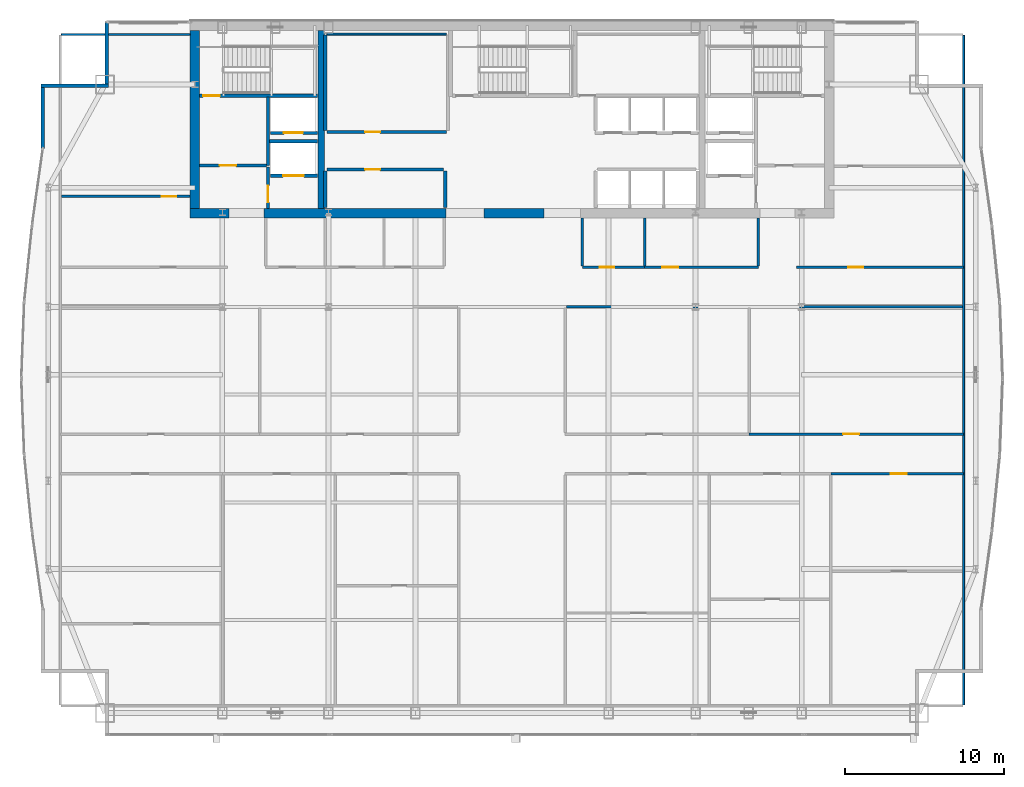
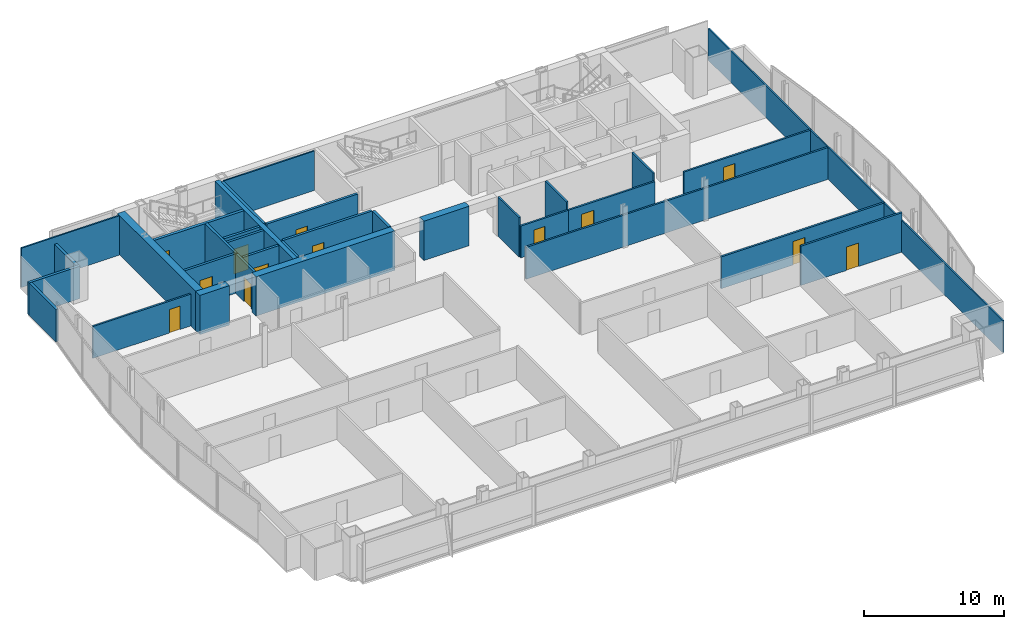
# One storey, part 28 of 32: 33 walls, 13 doors, 13 openings.
"""IFC4 building model written with IfcOpenShell, lengths in metres."""

from ifc_helpers import new_model, si_unit, direction, frame, frame_2d, origin, place, context, subcontext, project, spatial, rectangle, extrude, material, layer, layer_set, type_object, element, fill, save


model = new_model("IFC4")

# Units and contexts
model_context = context("Model", 3, precision=1e-05, world=origin(), true_north=direction((0.0, 1.0)))
body_context = subcontext(model_context, "Body", "Model", "MODEL_VIEW")
ifc_project = project(units=[si_unit("LENGTHUNIT", "METRE"), si_unit("AREAUNIT", "SQUARE_METRE"), si_unit("VOLUMEUNIT", "CUBIC_METRE"), si_unit("PLANEANGLEUNIT", "RADIAN"), si_unit("MASSUNIT", "GRAM", prefix="KILO")], contexts=[model_context])

# Site, building, storey
site_placement = place(None, origin())
site = spatial("IfcSite", under=ifc_project, at=site_placement, CompositionType="ELEMENT")
building_placement = place(site_placement, origin())
building = spatial("IfcBuilding", under=site, at=building_placement, Name="Khoronbel Lancet Exchange", CompositionType="ELEMENT")
storey_placement = place(building_placement, frame((0.0, 0.0, 228.199951171875)))
storey = spatial("IfcBuildingStorey", under=building, at=storey_placement, Name="L58", CompositionType="ELEMENT", Elevation=228.199951171875)

# Walls
ifc_material_1 = material(Name="Concrete C60/75", Category="concrete")
ifc_layer_1 = layer(ifc_material_1, 0.60009765625, Name="Concrete C60/75")
ifc_layer_set_1 = layer_set([ifc_layer_1], Name="Concrete C60/75")
wall_type_1 = type_object("IfcWallType", Name="WL-CW3", PredefinedType="SHEAR", material=ifc_layer_set_1)
wall_1_placement = place(storey_placement, frame((16.5, 41.89990234375, 0.0), z_axis=(0.0, 0.0, 1.0), x_axis=(0.0, 1.0, 0.0)))
element("IfcWall", 1, at=wall_1_placement, inside=storey, type_object=wall_type_1, Name="Level L58 rear core west shear wall", PredefinedType="SHEAR", context=body_context, shape_type="SweptSolid", body=[
    extrude(rectangle(XDim=11.2001953125, YDim=0.60009765625, at=frame_2d((5.60009765625, 0.0))), origin(), (0.0, 0.0, 1.0), 3.43994140625),
])
wall_2_placement = place(storey_placement, frame((18.64990234375, 41.60009765625, 0.0), z_axis=(0.0, 0.0, 1.0), x_axis=(-1.0, 0.0, 0.0)))
element("IfcWall", 2, at=wall_2_placement, inside=storey, type_object=wall_type_1, Name="Level L58 rear core south shear wall pier P1", PredefinedType="SHEAR", context=body_context, shape_type="SweptSolid", body=[
    extrude(rectangle(XDim=2.449951171875, YDim=0.60009765625, at=frame_2d((1.22509765625, 0.0))), origin(), (0.0, 0.0, 1.0), 3.43994140625),
])
wall_3_placement = place(storey_placement, frame((32.300048828125, 41.60009765625, 0.0), z_axis=(0.0, 0.0, 1.0), x_axis=(-1.0, 0.0, 0.0)))
element("IfcWall", 3, at=wall_3_placement, inside=storey, type_object=wall_type_1, Name="Level L58 rear core south shear wall pier P2", PredefinedType="SHEAR", context=body_context, shape_type="SweptSolid", body=[
    extrude(rectangle(XDim=11.449951171875, YDim=0.60009765625, at=frame_2d((5.72509765625, 0.0))), origin(), (0.0, 0.0, 1.0), 3.43994140625),
])
wall_4_placement = place(storey_placement, frame((38.449951171875, 41.60009765625, 0.0), z_axis=(0.0, 0.0, 1.0), x_axis=(-1.0, 0.0, 0.0)))
element("IfcWall", 4, at=wall_4_placement, inside=storey, type_object=wall_type_1, Name="Level L58 rear core south shear wall pier P3", PredefinedType="SHEAR", context=body_context, shape_type="SweptSolid", body=[
    extrude(rectangle(XDim=3.75, YDim=0.60009765625, at=frame_2d((1.875, 0.0))), origin(), (0.0, 0.0, 1.0), 3.43994140625),
])
ifc_material_2 = material(Name="Precast concrete C40/50", Category="concrete")
ifc_layer_2 = layer(ifc_material_2, 0.25, Name="Precast concrete C40/50")
ifc_layer_set_2 = layer_set([ifc_layer_2], Name="Precast concrete C40/50")
wall_type_2 = type_object("IfcWallType", Name="WL-EXT250", PredefinedType="SOLIDWALL", material=ifc_layer_set_2)
wall_5_placement = place(storey_placement, frame((6.93994140625, 45.673583984375, 0.0), z_axis=(0.0, 0.0, 1.0), x_axis=(0.0, 1.0, 0.0)))
element("IfcWall", 5, at=wall_5_placement, inside=storey, type_object=wall_type_2, Name="Level L58 notched-corner limestone pier 10", PredefinedType="SOLIDWALL", context=body_context, shape_type="SweptSolid", body=[
    extrude(rectangle(XDim=3.826416015625, YDim=0.219970703125, at=frame_2d((1.9130859375, 0.0))), origin(), (0.0, 0.0, 1.0), 2.830078125),
])
wall_6_placement = place(storey_placement, frame((6.830078125, 49.610107421875, 0.0), z_axis=(0.0, 0.0, 1.0), x_axis=(1.0, 0.0, 0.0)))
element("IfcWall", 6, at=wall_6_placement, inside=storey, type_object=wall_type_2, Name="Level L58 notched-corner limestone pier 11", PredefinedType="SOLIDWALL", context=body_context, shape_type="SweptSolid", body=[
    extrude(rectangle(XDim=4.219970703125, YDim=0.219970703125, at=frame_2d((2.10986328125, 0.0))), origin(), (0.0, 0.0, 1.0), 2.830078125),
])
wall_7_placement = place(storey_placement, frame((10.93994140625, 49.719970703125, 0.0), z_axis=(0.0, 0.0, 1.0), x_axis=(0.0, 1.0, 0.0)))
element("IfcWall", 7, at=wall_7_placement, inside=storey, type_object=wall_type_2, Name="Level L58 notched-corner limestone pier 12", PredefinedType="SOLIDWALL", context=body_context, shape_type="SweptSolid", body=[
    extrude(rectangle(XDim=3.909912109375, YDim=0.219970703125, at=frame_2d((1.955078125, 0.0))), origin(), (0.0, 0.0, 1.0), 2.830078125),
])
ifc_material_3 = material(Name="Acoustic Metal-Stud & Mineral-Wool Gypsum Partition 120 mm", Category="gypsum")
ifc_layer_3 = layer(ifc_material_3, 0.1201171875, Name="Acoustic Metal-Stud & Mineral-Wool Gypsum Partition 120 mm")
ifc_layer_set_3 = layer_set([ifc_layer_3], Name="Acoustic Metal-Stud & Mineral-Wool Gypsum Partition 120 mm")
wall_type_3 = type_object("IfcWallType", Name="WL-PRT120", PredefinedType="PARTITIONING", material=ifc_layer_set_3)
for number, where, z_axis, x_axis, name in (
    (8, (40.8798828125, 38.280029296875, 0.0), (0.0, 0.0, 1.0), (0.0, 1.0, 0.0), "Level L58 interior partition PW-NP-0"),
    (9, (44.800048828125, 38.280029296875, 0.0), (0.0, 0.0, 1.0), (0.0, 1.0, 0.0), "Level L58 interior partition PW-NP-M"),
    (10, (51.949951171875, 38.280029296875, 0.0), (0.0, 0.0, 1.0), (0.0, 1.0, 0.0), "Level L58 interior partition PW-NP-1"),
):
    element("IfcWall", number, at=place(storey_placement, frame(where, z_axis=z_axis, x_axis=x_axis)), inside=storey, type_object=wall_type_3, Name=name, PredefinedType="PARTITIONING", context=body_context, shape_type="SweptSolid", body=[
        extrude(rectangle(XDim=3.02001953125, YDim=0.14990234375, at=frame_2d((1.510009765625, 0.0))), origin(), (0.0, 0.0, 1.0), 3.43994140625),
    ])

# Wall, opening, door
wall_8_placement = place(storey_placement, frame((8.094970703125, 42.64990234375, 0.0), z_axis=(0.0, 0.0, 1.0), x_axis=(1.0, 0.0, 0.0)))
wall_8 = element("IfcWall", 11, at=wall_8_placement, inside=storey, type_object=wall_type_3, Name="Level L58 interior partition PW-NW-H", PredefinedType="PARTITIONING", context=body_context, shape_type="SweptSolid", body=[
    extrude(rectangle(XDim=8.10498046875, YDim=0.14990234375, at=frame_2d((4.052490234375, 0.0))), origin(), (0.0, 0.0, 1.0), 2.780029296875),
])
opening_1_placement = place(wall_8_placement, frame((6.320068359375, 0.0, 0.0)))
opening_1 = element("IfcOpeningElement", 12, at=opening_1_placement, cuts=wall_8, Name="Opening D5", PredefinedType="OPENING", context=body_context, shape_type="SweptSolid", body=[
    extrude(rectangle(XDim=0.89990234375, YDim=2.050048828125, at=frame_2d((0.449951171875, 1.02490234375))), frame((0.0, 0.0849609375, 0.0), z_axis=(0.0, -1.0, 0.0), x_axis=(1.0, 0.0, 0.0)), (0.0, 0.0, 1.0), 0.169921875),
])
ifc_material_4 = material(Name="Acoustic Timber Pantry & Support Door", Category="wood")
door_type_1 = type_object("IfcDoorType", Name="DR-D5", OperationType="NOTDEFINED", PredefinedType="DOOR", material=ifc_material_4)
door_1_placement = place(opening_1_placement, origin())
door_1 = element("IfcDoor", 13, at=door_1_placement, inside=storey, type_object=door_type_1, Name="NW north room door L58-1", OperationType="SINGLE_SWING_LEFT", OverallHeight=2.050048828125, OverallWidth=0.89990234375, PredefinedType="DOOR", context=body_context, shape_type="SweptSolid", body=[
    extrude(rectangle(XDim=0.89990234375, YDim=2.050048828125, at=frame_2d((0.449951171875, 1.02490234375))), frame((0.0, 0.02490234375, 0.0), z_axis=(0.0, -1.0, 0.0), x_axis=(1.0, 0.0, 0.0)), (0.0, 0.0, 1.0), 0.050048828125),
])
fill(opening_1, door_1)

# Walls
wall_9_placement = place(storey_placement, frame((64.8701171875, 10.6650390625, 0.0), z_axis=(0.0, 0.0, 1.0), x_axis=(0.0, 1.0, 0.0)))
element("IfcWall", 14, at=wall_9_placement, inside=storey, type_object=wall_type_3, Name="Level L58 interior partition PW-LIN-E", PredefinedType="PARTITIONING", context=body_context, shape_type="SweptSolid", body=[
    extrude(rectangle(XDim=42.10986328125, YDim=0.1201171875, at=frame_2d((21.054931640625, 0.0))), origin(), (0.0, 0.0, 1.0), 2.780029296875),
])
wall_10_placement = place(storey_placement, frame((8.094970703125, 52.840087890625, 0.0), z_axis=(0.0, 0.0, 1.0), x_axis=(1.0, 0.0, 0.0)))
element("IfcWall", 15, at=wall_10_placement, inside=storey, type_object=wall_type_3, Name="Level L58 interior partition PW-LIN-NW", PredefinedType="PARTITIONING", context=body_context, shape_type="SweptSolid", body=[
    extrude(rectangle(XDim=8.10498046875, YDim=0.1201171875, at=frame_2d((4.052490234375, 0.0))), origin(), (0.0, 0.0, 1.0), 3.43994140625),
])
ifc_material_5 = material(Name="Fire-Rated Metal-Stud & Mineral-Wool Gypsum Partition 120 mm", Category="gypsum")
ifc_layer_4 = layer(ifc_material_5, 0.1201171875, Name="Fire-Rated Metal-Stud & Mineral-Wool Gypsum Partition 120 mm")
ifc_layer_set_4 = layer_set([ifc_layer_4], Name="Fire-Rated Metal-Stud & Mineral-Wool Gypsum Partition 120 mm")
wall_type_4 = type_object("IfcWallType", Name="WL-PRT120F", PredefinedType="PARTITIONING", material=ifc_layer_set_4)
wall_11_placement = place(storey_placement, frame((24.804931640625, 52.860107421875, 0.0), z_axis=(0.0, 0.0, 1.0), x_axis=(1.0, 0.0, 0.0)))
element("IfcWall", 16, at=wall_11_placement, inside=storey, type_object=wall_type_4, Name="Level L58 interior partition CW-PL-RN", PredefinedType="PARTITIONING", context=body_context, shape_type="SweptSolid", body=[
    extrude(rectangle(XDim=7.510009765625, YDim=0.1201171875, at=frame_2d((3.7548828125, 0.0))), origin(), (0.0, 0.0, 1.0), 3.43994140625),
])

# Wall, opening, door
ifc_material_6 = material(Name="Fire-Rated Twin-Stud Acoustic Gypsum Partition 150 mm", Category="gypsum")
ifc_layer_5 = layer(ifc_material_6, 0.14990234375, Name="Fire-Rated Twin-Stud Acoustic Gypsum Partition 150 mm")
ifc_layer_set_5 = layer_set([ifc_layer_5], Name="Fire-Rated Twin-Stud Acoustic Gypsum Partition 150 mm")
wall_type_5 = type_object("IfcWallType", Name="WL-PRT150C", PredefinedType="PARTITIONING", material=ifc_layer_set_5)
wall_12_placement = place(storey_placement, frame((40.8798828125, 38.199951171875, 0.0), z_axis=(0.0, 0.0, 1.0), x_axis=(1.0, 0.0, 0.0)))
wall_12 = element("IfcWall", 17, at=wall_12_placement, inside=storey, type_object=wall_type_5, Name="Level L58 interior partition PW-NP-S1", PredefinedType="PARTITIONING", context=body_context, shape_type="SweptSolid", body=[
    extrude(rectangle(XDim=3.920166015625, YDim=0.14990234375, at=frame_2d((1.9599609375, 0.0))), origin(), (0.0, 0.0, 1.0), 2.780029296875),
])
opening_2_placement = place(wall_12_placement, frame((1.10009765625, 0.0, 0.0)))
opening_2 = element("IfcOpeningElement", 18, at=opening_2_placement, cuts=wall_12, Name="Opening D5", PredefinedType="OPENING", context=body_context, shape_type="SweptSolid", body=[
    extrude(rectangle(XDim=0.89990234375, YDim=2.050048828125, at=frame_2d((0.449951171875, 1.02490234375))), frame((0.0, 0.0849609375, 0.0), z_axis=(0.0, -1.0, 0.0), x_axis=(1.0, 0.0, 0.0)), (0.0, 0.0, 1.0), 0.169921875),
])
door_2_placement = place(opening_2_placement, origin())
door_2 = element("IfcDoor", 19, at=door_2_placement, inside=storey, type_object=door_type_1, Name="Floor refreshment pantry door L58-1", OperationType="SINGLE_SWING_LEFT", OverallHeight=2.050048828125, OverallWidth=0.89990234375, PredefinedType="DOOR", context=body_context, shape_type="SweptSolid", body=[
    extrude(rectangle(XDim=0.89990234375, YDim=2.050048828125, at=frame_2d((0.449951171875, 1.02490234375))), frame((0.0, 0.02490234375, 0.0), z_axis=(0.0, -1.0, 0.0), x_axis=(1.0, 0.0, 0.0)), (0.0, 0.0, 1.0), 0.050048828125),
])
fill(opening_2, door_2)

wall_13_placement = place(storey_placement, frame((44.800048828125, 38.199951171875, 0.0), z_axis=(0.0, 0.0, 1.0), x_axis=(1.0, 0.0, 0.0)))
wall_13 = element("IfcWall", 20, at=wall_13_placement, inside=storey, type_object=wall_type_5, Name="Level L58 interior partition PW-NP-S2", PredefinedType="PARTITIONING", context=body_context, shape_type="SweptSolid", body=[
    extrude(rectangle(XDim=7.14990234375, YDim=0.14990234375, at=frame_2d((3.574951171875, 0.0))), origin(), (0.0, 0.0, 1.0), 2.780029296875),
])
opening_3_placement = place(wall_13_placement, frame((1.10009765625, 0.0, 0.0)))
opening_3 = element("IfcOpeningElement", 21, at=opening_3_placement, cuts=wall_13, Name="Opening D2", PredefinedType="OPENING", context=body_context, shape_type="SweptSolid", body=[
    extrude(rectangle(XDim=1.0, YDim=2.050048828125, at=frame_2d((0.5, 1.02490234375))), frame((0.0, 0.0849609375, 0.0), z_axis=(0.0, -1.0, 0.0), x_axis=(1.0, 0.0, 0.0)), (0.0, 0.0, 1.0), 0.169921875),
])
ifc_material_7 = material(Name="Acoustic Veneered Timber & Bronze Frame Door", Category="wood")
door_type_2 = type_object("IfcDoorType", Name="DR-D2", OperationType="NOTDEFINED", PredefinedType="DOOR", material=ifc_material_7)
door_3_placement = place(opening_3_placement, origin())
door_3 = element("IfcDoor", 22, at=door_3_placement, inside=storey, type_object=door_type_2, Name="Floor store door L58-1", OperationType="SINGLE_SWING_RIGHT", OverallHeight=2.050048828125, OverallWidth=1.0, PredefinedType="DOOR", context=body_context, shape_type="SweptSolid", body=[
    extrude(rectangle(XDim=1.0, YDim=2.050048828125, at=frame_2d((0.5, 1.02490234375))), frame((0.0, 0.02490234375, 0.0), z_axis=(0.0, -1.0, 0.0), x_axis=(1.0, 0.0, 0.0)), (0.0, 0.0, 1.0), 0.050048828125),
])
fill(opening_3, door_3)

wall_14_placement = place(storey_placement, frame((54.35009765625, 38.199951171875, 0.0), z_axis=(0.0, 0.0, 1.0), x_axis=(1.0, 0.0, 0.0)))
wall_14 = element("IfcWall", 23, at=wall_14_placement, inside=storey, type_object=wall_type_5, Name="Level L58 interior partition PW-NE-S", PredefinedType="PARTITIONING", context=body_context, shape_type="SweptSolid", body=[
    extrude(rectangle(XDim=10.52001953125, YDim=0.14990234375, at=frame_2d((5.260009765625, 0.0))), origin(), (0.0, 0.0, 1.0), 2.780029296875),
])
opening_4_placement = place(wall_14_placement, frame((3.25, 0.0, 0.0)))
opening_4 = element("IfcOpeningElement", 24, at=opening_4_placement, cuts=wall_14, Name="Opening D1", PredefinedType="OPENING", context=body_context, shape_type="SweptSolid", body=[
    extrude(rectangle(XDim=0.949951171875, YDim=2.050048828125, at=frame_2d((0.47509765625, 1.02490234375))), frame((0.0, 0.0849609375, 0.0), z_axis=(0.0, -1.0, 0.0), x_axis=(1.0, 0.0, 0.0)), (0.0, 0.0, 1.0), 0.169921875),
])
door_type_3 = type_object("IfcDoorType", Name="DR-D1", OperationType="NOTDEFINED", PredefinedType="DOOR", material=ifc_material_7)
door_4_placement = place(opening_4_placement, origin())
door_4 = element("IfcDoor", 25, at=door_4_placement, inside=storey, type_object=door_type_3, Name="NE corner room door L58-1", OperationType="SINGLE_SWING_RIGHT", OverallHeight=2.050048828125, OverallWidth=0.949951171875, PredefinedType="DOOR", context=body_context, shape_type="SweptSolid", body=[
    extrude(rectangle(XDim=0.949951171875, YDim=2.050048828125, at=frame_2d((0.47509765625, 1.02490234375))), frame((0.0, 0.02490234375, 0.0), z_axis=(0.0, -1.0, 0.0), x_axis=(1.0, 0.0, 0.0)), (0.0, 0.0, 1.0), 0.050048828125),
])
fill(opening_4, door_4)

# Wall
wall_15_placement = place(storey_placement, frame((39.8798828125, 35.699951171875, 0.0), z_axis=(0.0, 0.0, 1.0), x_axis=(1.0, 0.0, 0.0)))
element("IfcWall", 26, at=wall_15_placement, inside=storey, type_object=wall_type_5, Name="Level L58 interior partition PW-Z3-EN", PredefinedType="PARTITIONING", context=body_context, shape_type="SweptSolid", body=[
    extrude(rectangle(XDim=24.925048828125, YDim=0.14990234375, at=frame_2d((12.46240234375, 0.0))), origin(), (0.0, 0.0, 1.0), 2.780029296875),
])

# Wall, opening, door
ifc_material_8 = material(Name="Fire-Rated Twin-Stud Acoustic Gypsum Partition 160 mm", Category="gypsum")
ifc_layer_6 = layer(ifc_material_8, 0.159912109375, Name="Fire-Rated Twin-Stud Acoustic Gypsum Partition 160 mm")
ifc_layer_set_6 = layer_set([ifc_layer_6], Name="Fire-Rated Twin-Stud Acoustic Gypsum Partition 160 mm")
wall_type_6 = type_object("IfcWallType", Name="WL-PRT160C", PredefinedType="PARTITIONING", material=ifc_layer_set_6)
wall_16_placement = place(storey_placement, frame((56.51318359375, 25.199951171875, 0.0), z_axis=(0.0, 0.0, 1.0), x_axis=(1.0, 0.0, 0.0)))
wall_16 = element("IfcWall", 27, at=wall_16_placement, inside=storey, type_object=wall_type_6, Name="Level L58 interior partition PW-Z3SE-COR3", PredefinedType="PARTITIONING", context=body_context, shape_type="SweptSolid", body=[
    extrude(rectangle(XDim=8.35693359375, YDim=0.159912109375, at=frame_2d((4.178466796875, 0.0))), origin(), (0.0, 0.0, 1.0), 3.43994140625),
])
opening_5_placement = place(wall_16_placement, frame((3.759765625, 0.0, 0.0)))
opening_5 = element("IfcOpeningElement", 28, at=opening_5_placement, cuts=wall_16, Name="Opening D2", PredefinedType="OPENING", context=body_context, shape_type="SweptSolid", body=[
    extrude(rectangle(XDim=1.0, YDim=2.050048828125, at=frame_2d((0.5, 1.02490234375))), frame((0.0, 0.08984375, 0.0), z_axis=(0.0, -1.0, 0.0), x_axis=(1.0, 0.0, 0.0)), (0.0, 0.0, 1.0), 0.179931640625),
])
door_5_placement = place(opening_5_placement, origin())
door_5 = element("IfcDoor", 29, at=door_5_placement, inside=storey, type_object=door_type_2, Name="Z3SE bay 3 door L58-1", OperationType="SINGLE_SWING_RIGHT", OverallHeight=2.050048828125, OverallWidth=1.0, PredefinedType="DOOR", context=body_context, shape_type="SweptSolid", body=[
    extrude(rectangle(XDim=1.0, YDim=2.050048828125, at=frame_2d((0.5, 1.02490234375))), frame((0.0, 0.02490234375, 0.0), z_axis=(0.0, -1.0, 0.0), x_axis=(1.0, 0.0, 0.0)), (0.0, 0.0, 1.0), 0.050048828125),
])
fill(opening_5, door_5)

wall_17_placement = place(storey_placement, frame((51.370849609375, 27.699951171875, 0.0), z_axis=(0.0, 0.0, 1.0), x_axis=(1.0, 0.0, 0.0)))
wall_17 = element("IfcWall", 30, at=wall_17_placement, inside=storey, type_object=wall_type_6, Name="Level L58 interior partition PW-Z3NE-COR2", PredefinedType="PARTITIONING", context=body_context, shape_type="SweptSolid", body=[
    extrude(rectangle(XDim=13.499267578125, YDim=0.159912109375, at=frame_2d((6.74951171875, 0.0))), origin(), (0.0, 0.0, 1.0), 2.780029296875),
])
opening_6_placement = place(wall_17_placement, frame((5.919677734375, 0.0, 0.0)))
opening_6 = element("IfcOpeningElement", 31, at=opening_6_placement, cuts=wall_17, Name="Opening D2", PredefinedType="OPENING", context=body_context, shape_type="SweptSolid", body=[
    extrude(rectangle(XDim=1.0, YDim=2.050048828125, at=frame_2d((0.5, 1.02490234375))), frame((0.0, 0.08984375, 0.0), z_axis=(0.0, -1.0, 0.0), x_axis=(1.0, 0.0, 0.0)), (0.0, 0.0, 1.0), 0.179931640625),
])
door_6_placement = place(opening_6_placement, origin())
door_6 = element("IfcDoor", 32, at=door_6_placement, inside=storey, type_object=door_type_2, Name="Z3NE bay 2 door L58-1", OperationType="SINGLE_SWING_LEFT", OverallHeight=2.050048828125, OverallWidth=1.0, PredefinedType="DOOR", context=body_context, shape_type="SweptSolid", body=[
    extrude(rectangle(XDim=1.0, YDim=2.050048828125, at=frame_2d((0.5, 1.02490234375))), frame((0.0, 0.02490234375, 0.0), z_axis=(0.0, -1.0, 0.0), x_axis=(1.0, 0.0, 0.0)), (0.0, 0.0, 1.0), 0.050048828125),
])
fill(opening_6, door_6)

ifc_material_9 = material(Name="Autoclaved Aerated Concrete Blockwork 200 mm", Category="masonry")
ifc_layer_7 = layer(ifc_material_9, 0.199951171875, Name="Autoclaved Aerated Concrete Blockwork 200 mm")
ifc_layer_set_7 = layer_set([ifc_layer_7], Name="Autoclaved Aerated Concrete Blockwork 200 mm")
wall_type_7 = type_object("IfcWallType", Name="WL-PRT200", PredefinedType="PARTITIONING", material=ifc_layer_set_7)
wall_18_placement = place(storey_placement, frame((24.2099609375, 43.949951171875, 0.0), z_axis=(0.0, 0.0, 1.0), x_axis=(-1.0, 0.0, 0.0)))
wall_18 = element("IfcWall", 33, at=wall_18_placement, inside=storey, type_object=wall_type_7, Name="Level L58 elevator hoistway landing front wall SVLW", PredefinedType="PARTITIONING", context=body_context, shape_type="SweptSolid", body=[
    extrude(rectangle(XDim=2.969970703125, YDim=0.199951171875, at=frame_2d((1.48486328125, 0.0))), origin(), (0.0, 0.0, 1.0), 3.43994140625),
])
opening_7_placement = place(wall_18_placement, frame((0.860107421875, 0.0, 0.0)))
opening_7 = element("IfcOpeningElement", 34, at=opening_7_placement, cuts=wall_18, Name="Opening LD-SVL1", PredefinedType="OPENING", context=body_context, shape_type="SweptSolid", body=[
    extrude(rectangle(XDim=1.300048828125, YDim=2.179931640625, at=frame_2d((0.64990234375, 1.08984375))), frame((0.0, 0.10986328125, 0.0), z_axis=(0.0, -1.0, 0.0), x_axis=(1.0, 0.0, 0.0)), (0.0, 0.0, 1.0), 0.219970703125),
])
ifc_material_10 = material(Name="Heavy-Duty Bi-Parting Goods Lift Landing Door", Category="steel")
door_type_4 = type_object("IfcDoorType", Name="DR-LD-SVL", OperationType="NOTDEFINED", PredefinedType="DOOR", material=ifc_material_10)
door_7_placement = place(opening_7_placement, origin())
door_7 = element("IfcDoor", 35, at=door_7_placement, inside=storey, type_object=door_type_4, Name="Elevator landing sliding door LD-SVL1 L58", OperationType="SLIDING_TO_LEFT", OverallHeight=2.179931640625, OverallWidth=1.300048828125, PredefinedType="DOOR", context=body_context, shape_type="SweptSolid", body=[
    extrude(rectangle(XDim=1.300048828125, YDim=2.179931640625, at=frame_2d((0.64990234375, 1.08984375))), frame((0.0, 0.02490234375, 0.0), z_axis=(0.0, -1.0, 0.0), x_axis=(1.0, 0.0, 0.0)), (0.0, 0.0, 1.0), 0.050048828125),
])
fill(opening_7, door_7)

wall_19_placement = place(storey_placement, frame((24.2099609375, 46.64990234375, 0.0), z_axis=(0.0, 0.0, 1.0), x_axis=(-1.0, 0.0, 0.0)))
wall_19 = element("IfcWall", 36, at=wall_19_placement, inside=storey, type_object=wall_type_7, Name="Level L58 elevator hoistway landing front wall FFLW", PredefinedType="PARTITIONING", context=body_context, shape_type="SweptSolid", body=[
    extrude(rectangle(XDim=2.969970703125, YDim=0.199951171875, at=frame_2d((1.48486328125, 0.0))), origin(), (0.0, 0.0, 1.0), 3.43994140625),
])
opening_8_placement = place(wall_19_placement, frame((0.909912109375, 0.0, 0.0)))
opening_8 = element("IfcOpeningElement", 37, at=opening_8_placement, cuts=wall_19, Name="Opening LD-FFL1", PredefinedType="OPENING", context=body_context, shape_type="SweptSolid", body=[
    extrude(rectangle(XDim=1.199951171875, YDim=2.179931640625, at=frame_2d((0.60009765625, 1.08984375))), frame((0.0, 0.10986328125, 0.0), z_axis=(0.0, -1.0, 0.0), x_axis=(1.0, 0.0, 0.0)), (0.0, 0.0, 1.0), 0.219970703125),
])
ifc_material_11 = material(Name="Fire-Rated Stainless Bi-Parting Firefighting Lift Door", Category="steel")
door_type_5 = type_object("IfcDoorType", Name="DR-LD-FFL", OperationType="NOTDEFINED", PredefinedType="DOOR", material=ifc_material_11)
door_8_placement = place(opening_8_placement, origin())
door_8 = element("IfcDoor", 38, at=door_8_placement, inside=storey, type_object=door_type_5, Name="Elevator landing sliding door LD-FFL1 L58", OperationType="SLIDING_TO_LEFT", OverallHeight=2.179931640625, OverallWidth=1.199951171875, PredefinedType="DOOR", context=body_context, shape_type="SweptSolid", body=[
    extrude(rectangle(XDim=1.199951171875, YDim=2.179931640625, at=frame_2d((0.60009765625, 1.08984375))), frame((0.0, 0.02490234375, 0.0), z_axis=(0.0, -1.0, 0.0), x_axis=(1.0, 0.0, 0.0)), (0.0, 0.0, 1.0), 0.050048828125),
])
fill(opening_8, door_8)

# Wall
wall_20_placement = place(storey_placement, frame((21.10009765625, 44.60009765625, 0.0), z_axis=(0.0, 0.0, 1.0), x_axis=(0.0, 1.0, 0.0)))
element("IfcWall", 39, at=wall_20_placement, inside=storey, type_object=wall_type_7, Name="Level L58 interior partition CW-FFLW-E", PredefinedType="PARTITIONING", context=body_context, shape_type="SweptSolid", body=[
    extrude(rectangle(XDim=4.2998046875, YDim=0.199951171875, at=frame_2d((2.14990234375, 0.0))), origin(), (0.0, 0.0, 1.0), 3.43994140625),
])

# Wall, opening, door
wall_21_placement = place(storey_placement, frame((16.800048828125, 44.60009765625, 0.0), z_axis=(0.0, 0.0, 1.0), x_axis=(1.0, 0.0, 0.0)))
wall_21 = element("IfcWall", 40, at=wall_21_placement, inside=storey, type_object=wall_type_7, Name="Level L58 interior partition CW-FFLW-S", PredefinedType="PARTITIONING", context=body_context, shape_type="SweptSolid", body=[
    extrude(rectangle(XDim=4.199951171875, YDim=0.199951171875, at=frame_2d((2.10009765625, 0.0))), origin(), (0.0, 0.0, 1.0), 3.43994140625),
])
opening_9_placement = place(wall_21_placement, frame((1.25, 0.0, 0.0)))
opening_9 = element("IfcOpeningElement", 41, at=opening_9_placement, cuts=wall_21, Name="Opening FD1", PredefinedType="OPENING", context=body_context, shape_type="SweptSolid", body=[
    extrude(rectangle(XDim=1.050048828125, YDim=2.14990234375, at=frame_2d((0.52490234375, 1.074951171875))), frame((0.0, 0.10986328125, 0.0), z_axis=(0.0, -1.0, 0.0), x_axis=(1.0, 0.0, 0.0)), (0.0, 0.0, 1.0), 0.219970703125),
])
ifc_material_12 = material(Name="Fire-Rated Painted Steel Door Assembly", Category="steel")
door_type_6 = type_object("IfcDoorType", Name="DR-FD1", OperationType="NOTDEFINED", PredefinedType="DOOR", material=ifc_material_12)
door_9_placement = place(opening_9_placement, origin())
door_9 = element("IfcDoor", 42, at=door_9_placement, inside=storey, type_object=door_type_6, Name="West firefighting lobby FD90S door L58-1", OperationType="SINGLE_SWING_LEFT", OverallHeight=2.14990234375, OverallWidth=1.050048828125, PredefinedType="DOOR", context=body_context, shape_type="SweptSolid", body=[
    extrude(rectangle(XDim=1.050048828125, YDim=2.14990234375, at=frame_2d((0.52490234375, 1.074951171875))), frame((0.0, 0.02490234375, 0.0), z_axis=(0.0, -1.0, 0.0), x_axis=(1.0, 0.0, 0.0)), (0.0, 0.0, 1.0), 0.050048828125),
])
fill(opening_9, door_9)

# Wall
wall_22_placement = place(storey_placement, frame((21.199951171875, 46.1201171875, 0.0), z_axis=(0.0, 0.0, 1.0), x_axis=(1.0, 0.0, 0.0)))
element("IfcWall", 43, at=wall_22_placement, inside=storey, type_object=wall_type_7, Name="Level L58 interior partition CW-FFL1-S", PredefinedType="PARTITIONING", context=body_context, shape_type="SweptSolid", body=[
    extrude(rectangle(XDim=3.02001953125, YDim=0.199951171875, at=frame_2d((1.510009765625, 0.0))), origin(), (0.0, 0.0, 1.0), 3.43994140625),
])

# Wall, opening, door
wall_23_placement = place(storey_placement, frame((21.10009765625, 41.89990234375, 0.0), z_axis=(0.0, 0.0, 1.0), x_axis=(0.0, 1.0, 0.0)))
wall_23 = element("IfcWall", 44, at=wall_23_placement, inside=storey, type_object=wall_type_7, Name="Level L58 interior partition CW-SVLW-W", PredefinedType="PARTITIONING", context=body_context, shape_type="SweptSolid", body=[
    extrude(rectangle(XDim=2.59521484375, YDim=0.199951171875, at=frame_2d((1.297607421875, 0.0))), origin(), (0.0, 0.0, 1.0), 3.43994140625),
])
opening_10_placement = place(wall_23_placement, frame((0.3798828125, 0.0, 0.0)))
opening_10 = element("IfcOpeningElement", 45, at=opening_10_placement, cuts=wall_23, Name="Opening FD1", PredefinedType="OPENING", context=body_context, shape_type="SweptSolid", body=[
    extrude(rectangle(XDim=1.050048828125, YDim=2.14990234375, at=frame_2d((0.52490234375, 1.074951171875))), frame((0.0, 0.10986328125, 0.0), z_axis=(0.0, -1.0, 0.0), x_axis=(1.0, 0.0, 0.0)), (0.0, 0.0, 1.0), 0.219970703125),
])
door_10_placement = place(opening_10_placement, origin())
door_10 = element("IfcDoor", 46, at=door_10_placement, inside=storey, type_object=door_type_6, Name="West service lift lobby door L58-1", OperationType="SINGLE_SWING_RIGHT", OverallHeight=2.14990234375, OverallWidth=1.050048828125, PredefinedType="DOOR", context=body_context, shape_type="SweptSolid", body=[
    extrude(rectangle(XDim=1.050048828125, YDim=2.14990234375, at=frame_2d((0.52490234375, 1.074951171875))), frame((0.0, 0.02490234375, 0.0), z_axis=(0.0, -1.0, 0.0), x_axis=(1.0, 0.0, 0.0)), (0.0, 0.0, 1.0), 0.050048828125),
])
fill(opening_10, door_10)

# Wall
wall_24_placement = place(storey_placement, frame((24.699951171875, 46.804931640625, 0.0), z_axis=(0.0, 0.0, 1.0), x_axis=(0.0, 1.0, 0.0)))
element("IfcWall", 47, at=wall_24_placement, inside=storey, type_object=wall_type_7, Name="Level L58 interior partition CW-PL-RW", PredefinedType="PARTITIONING", context=body_context, shape_type="SweptSolid", body=[
    extrude(rectangle(XDim=5.989990234375, YDim=0.199951171875, at=frame_2d((2.9951171875, 0.0))), origin(), (0.0, 0.0, 1.0), 3.43994140625),
])

# Wall, opening, door
wall_25_placement = place(storey_placement, frame((24.804931640625, 46.699951171875, 0.0), z_axis=(0.0, 0.0, 1.0), x_axis=(1.0, 0.0, 0.0)))
wall_25 = element("IfcWall", 48, at=wall_25_placement, inside=storey, type_object=wall_type_7, Name="Level L58 interior partition CW-PL-RF", PredefinedType="PARTITIONING", context=body_context, shape_type="SweptSolid", body=[
    extrude(rectangle(XDim=7.510009765625, YDim=0.199951171875, at=frame_2d((3.7548828125, 0.0))), origin(), (0.0, 0.0, 1.0), 3.43994140625),
])
opening_11_placement = place(wall_25_placement, frame((2.39990234375, 0.0, 0.0)))
opening_11 = element("IfcOpeningElement", 49, at=opening_11_placement, cuts=wall_25, Name="Opening FD3", PredefinedType="OPENING", context=body_context, shape_type="SweptSolid", body=[
    extrude(rectangle(XDim=0.949951171875, YDim=2.10009765625, at=frame_2d((0.47509765625, 1.050048828125))), frame((0.0, 0.10986328125, 0.0), z_axis=(0.0, -1.0, 0.0), x_axis=(1.0, 0.0, 0.0)), (0.0, 0.0, 1.0), 0.219970703125),
])
ifc_material_13 = material(Name="Fire-Rated Steel Plant & Riser Door Assembly", Category="steel")
door_type_7 = type_object("IfcDoorType", Name="DR-FD3", OperationType="NOTDEFINED", PredefinedType="DOOR", material=ifc_material_13)
door_11_placement = place(opening_11_placement, origin())
door_11 = element("IfcDoor", 50, at=door_11_placement, inside=storey, type_object=door_type_7, Name="Reclaimed PL room door L58-1", OperationType="SINGLE_SWING_LEFT", OverallHeight=2.10009765625, OverallWidth=0.949951171875, PredefinedType="DOOR", context=body_context, shape_type="SweptSolid", body=[
    extrude(rectangle(XDim=0.949951171875, YDim=2.10009765625, at=frame_2d((0.47509765625, 1.050048828125))), frame((0.0, 0.02490234375, 0.0), z_axis=(0.0, -1.0, 0.0), x_axis=(1.0, 0.0, 0.0)), (0.0, 0.0, 1.0), 0.050048828125),
])
fill(opening_11, door_11)

# Walls
for number, where, z_axis, x_axis, name in (
    (51, (24.699951171875, 41.949951171875, 0.0), (0.0, 0.0, 1.0), (0.0, 1.0, 0.0), "Level L58 interior partition CW-PM-RW"),
    (52, (32.25, 41.949951171875, 0.0), (0.0, 0.0, 1.0), (0.0, 1.0, 0.0), "Level L58 interior partition CW-PM-RE"),
):
    element("IfcWall", number, at=place(storey_placement, frame(where, z_axis=z_axis, x_axis=x_axis)), inside=storey, type_object=wall_type_7, Name=name, PredefinedType="PARTITIONING", context=body_context, shape_type="SweptSolid", body=[
        extrude(rectangle(XDim=2.295166015625, YDim=0.199951171875, at=frame_2d((1.1474609375, 0.0))), origin(), (0.0, 0.0, 1.0), 3.43994140625),
    ])

# Wall, opening, door
wall_26_placement = place(storey_placement, frame((24.804931640625, 44.35009765625, 0.0), z_axis=(0.0, 0.0, 1.0), x_axis=(1.0, 0.0, 0.0)))
wall_26 = element("IfcWall", 53, at=wall_26_placement, inside=storey, type_object=wall_type_7, Name="Level L58 interior partition CW-PM-RF", PredefinedType="PARTITIONING", context=body_context, shape_type="SweptSolid", body=[
    extrude(rectangle(XDim=7.340087890625, YDim=0.199951171875, at=frame_2d((3.669921875, 0.0))), origin(), (0.0, 0.0, 1.0), 3.43994140625),
])
opening_12_placement = place(wall_26_placement, frame((2.39990234375, 0.0, 0.0)))
opening_12 = element("IfcOpeningElement", 54, at=opening_12_placement, cuts=wall_26, Name="Opening FD3", PredefinedType="OPENING", context=body_context, shape_type="SweptSolid", body=[
    extrude(rectangle(XDim=0.949951171875, YDim=2.10009765625, at=frame_2d((0.47509765625, 1.050048828125))), frame((0.0, 0.10986328125, 0.0), z_axis=(0.0, -1.0, 0.0), x_axis=(1.0, 0.0, 0.0)), (0.0, 0.0, 1.0), 0.219970703125),
])
door_12_placement = place(opening_12_placement, origin())
door_12 = element("IfcDoor", 55, at=door_12_placement, inside=storey, type_object=door_type_7, Name="Reclaimed PM room door L58-1", OperationType="SINGLE_SWING_RIGHT", OverallHeight=2.10009765625, OverallWidth=0.949951171875, PredefinedType="DOOR", context=body_context, shape_type="SweptSolid", body=[
    extrude(rectangle(XDim=0.949951171875, YDim=2.10009765625, at=frame_2d((0.47509765625, 1.050048828125))), frame((0.0, 0.02490234375, 0.0), z_axis=(0.0, -1.0, 0.0), x_axis=(1.0, 0.0, 0.0)), (0.0, 0.0, 1.0), 0.050048828125),
])
fill(opening_12, door_12)

# Wall
ifc_layer_8 = layer(ifc_material_1, 0.39990234375, Name="Concrete C60/75")
ifc_layer_set_8 = layer_set([ifc_layer_8], Name="Concrete C60/75")
wall_type_8 = type_object("IfcWallType", Name="WL-SW2", PredefinedType="SHEAR", material=ifc_layer_set_8)
wall_27_placement = place(storey_placement, frame((24.449951171875, 41.89990234375, 0.0), z_axis=(0.0, 0.0, 1.0), x_axis=(0.0, 1.0, 0.0)))
element("IfcWall", 56, at=wall_27_placement, inside=storey, type_object=wall_type_8, Name="Level L58 rear core internal spine shear wall IW", PredefinedType="SHEAR", context=body_context, shape_type="SweptSolid", body=[
    extrude(rectangle(XDim=11.2001953125, YDim=0.39990234375, at=frame_2d((5.60009765625, 0.0))), origin(), (0.0, 0.0, 1.0), 3.43994140625),
])

# Wall, opening, door
ifc_layer_9 = layer(ifc_material_1, 0.260009765625, Name="Concrete C60/75")
ifc_layer_set_9 = layer_set([ifc_layer_9], Name="Concrete C60/75")
wall_type_9 = type_object("IfcWallType", Name="WL-SW3", PredefinedType="SHEAR", material=ifc_layer_set_9)
wall_28_placement = place(storey_placement, frame((16.800048828125, 48.97998046875, 0.0), z_axis=(0.0, 0.0, 1.0), x_axis=(1.0, 0.0, 0.0)))
wall_28 = element("IfcWall", 57, at=wall_28_placement, inside=storey, type_object=wall_type_9, Name="Level L58 west stairwell structural south wall", PredefinedType="SHEAR", context=body_context, shape_type="SweptSolid", body=[
    extrude(rectangle(XDim=7.419921875, YDim=0.239990234375, at=frame_2d((3.7099609375, 0.0))), origin(), (0.0, 0.0, 1.0), 3.43994140625),
])
opening_13_placement = place(wall_28_placement, frame((0.219970703125, 0.0, 0.0)))
opening_13 = element("IfcOpeningElement", 58, at=opening_13_placement, cuts=wall_28, Name="Opening SD1", PredefinedType="OPENING", context=body_context, shape_type="SweptSolid", body=[
    extrude(rectangle(XDim=1.050048828125, YDim=2.14990234375, at=frame_2d((0.52490234375, 1.074951171875))), frame((0.0, 0.1298828125, 0.0), z_axis=(0.0, -1.0, 0.0), x_axis=(1.0, 0.0, 0.0)), (0.0, 0.0, 1.0), 0.260009765625),
])
ifc_material_14 = material(Name="Fire-Rated Steel Stairwell Door Assembly", Category="steel")
door_type_8 = type_object("IfcDoorType", Name="DR-SD1", OperationType="NOTDEFINED", PredefinedType="DOOR", material=ifc_material_14)
door_13_placement = place(opening_13_placement, origin())
door_13 = element("IfcDoor", 59, at=door_13_placement, inside=storey, type_object=door_type_8, Name="Protected exit stair ST1 door L58", OperationType="SINGLE_SWING_LEFT", OverallHeight=2.14990234375, OverallWidth=1.050048828125, PredefinedType="DOOR", context=body_context, shape_type="SweptSolid", body=[
    extrude(rectangle(XDim=1.050048828125, YDim=2.14990234375, at=frame_2d((0.52490234375, 1.074951171875))), frame((0.0, 0.02490234375, 0.0), z_axis=(0.0, -1.0, 0.0), x_axis=(1.0, 0.0, 0.0)), (0.0, 0.0, 1.0), 0.050048828125),
])
fill(opening_13, door_13)

save(model, "model.ifc")
